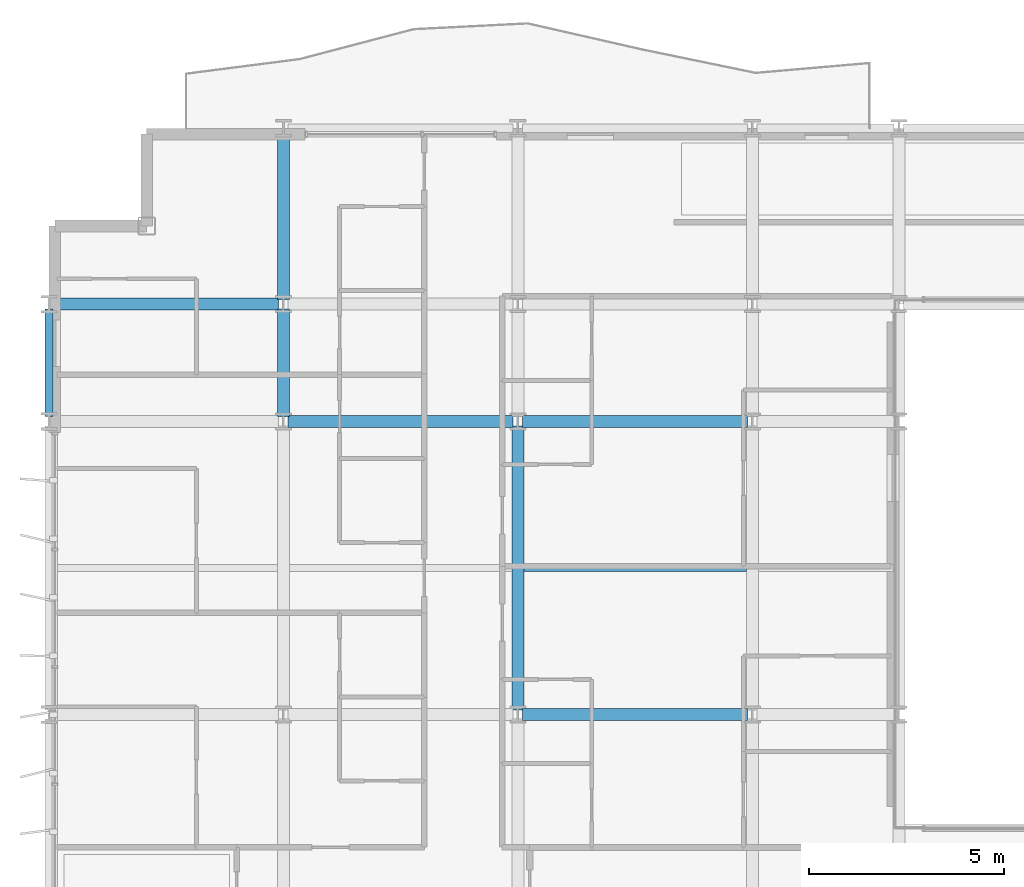
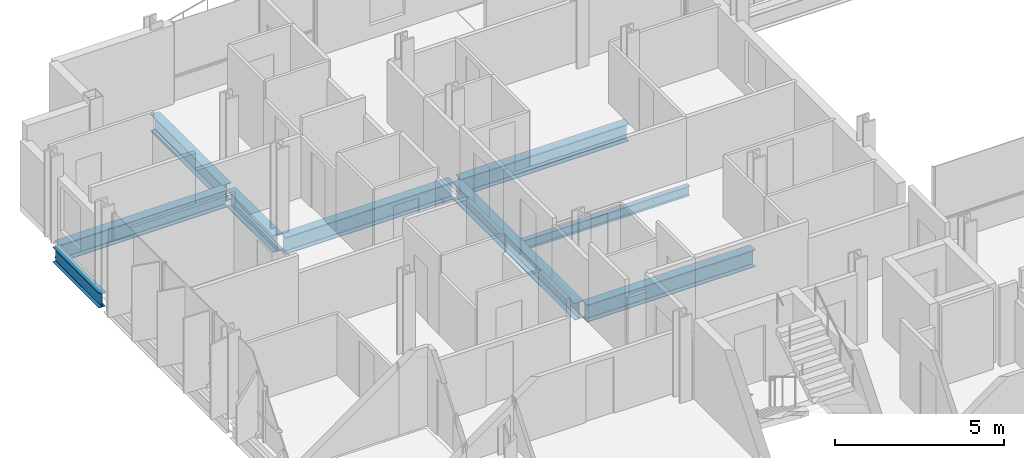
# One storey, part 6 of 39: 9 beams.
"""IFC4 building model written with IfcOpenShell, lengths in metres."""

from ifc_helpers import new_model, si_unit, direction, frame, origin, origin_2d, place, context, subcontext, project, spatial, i_section, extrude, material, material_profile, profile_set, type_object, element, save


model = new_model("IFC4")

# Units and contexts
model_context = context("Model", 3, precision=1e-05, world=origin(), true_north=direction((0.0, 1.0)))
body_context = subcontext(model_context, "Body", "Model", "MODEL_VIEW")
ifc_project = project(units=[si_unit("LENGTHUNIT", "METRE"), si_unit("AREAUNIT", "SQUARE_METRE"), si_unit("VOLUMEUNIT", "CUBIC_METRE"), si_unit("PLANEANGLEUNIT", "RADIAN"), si_unit("MASSUNIT", "GRAM", prefix="KILO")], contexts=[model_context])

# Site, building, storey
site_placement = place(None, origin())
site = spatial("IfcSite", under=ifc_project, at=site_placement, CompositionType="ELEMENT")
building_placement = place(site_placement, origin())
building = spatial("IfcBuilding", under=site, at=building_placement, Name="Brevholm Reach", CompositionType="ELEMENT")
storey_placement = place(building_placement, frame((0.0, 0.0, 90.0)))
storey = spatial("IfcBuildingStorey", under=building, at=storey_placement, Name="L26", CompositionType="ELEMENT", Elevation=90.0)

# Beams
ifc_material_1 = material(Name="Structural Steel S355J2", Category="steel")
ifc_material_profile_1 = material_profile(ifc_material_1, i_section(OverallWidth=0.17138671875, OverallDepth=0.35498046875, WebThickness=0.00732421875, FlangeThickness=0.011474609375, FilletRadius=0.01025390625, at=origin_2d()), Name="UKB 356x171x51")
ifc_profile_set_1 = profile_set([ifc_material_profile_1], Name="Structural Steel S355J2")
beam_type_1 = type_object("IfcBeamType", Name="BM-B356", PredefinedType="BEAM", material=ifc_profile_set_1)
beam_1_placement = place(storey_placement, frame((12.153564453125, 19.75, -0.407470703125), z_axis=(1.0, 0.0, 0.0), x_axis=(0.0, 1.0, 0.0)))
element("IfcBeam", 1, at=beam_1_placement, inside=storey, type_object=beam_type_1, Name="L26 Composite Secondary Floor Beam", PredefinedType="BEAM", context=body_context, shape_type="SweptSolid", body=[
    extrude(i_section(OverallWidth=0.17138671875, OverallDepth=0.35498046875, WebThickness=0.00732421875, FlangeThickness=0.011474609375, FilletRadius=0.01025390625, at=origin_2d()), origin(), (0.0, 0.0, 1.0), 5.69287109375),
])
ifc_material_2 = material(Name="Structural Steel S355J2", Category="steel")
ifc_material_profile_2 = material_profile(ifc_material_2, i_section(OverallWidth=0.210693359375, OverallDepth=0.53955078125, WebThickness=0.01171875, FlangeThickness=0.018798828125, FilletRadius=0.0126953125, at=origin_2d()), Name="UKB 533x210x109")
ifc_profile_set_2 = profile_set([ifc_material_profile_2], Name="Structural Steel S355J2")
beam_type_2 = type_object("IfcBeamType", Name="BM-SP539", PredefinedType="SPANDREL", material=ifc_profile_set_2)
beam_2_placement = place(storey_placement, frame((0.0, 23.6201171875, -0.499755859375), z_axis=(0.0, 1.0, 0.0), x_axis=(-1.0, 0.0, 0.0)))
element("IfcBeam", 2, at=beam_2_placement, inside=storey, type_object=beam_type_2, Name="L26 SP-01B Framing Beam", PredefinedType="SPANDREL", context=body_context, shape_type="SweptSolid", body=[
    extrude(i_section(OverallWidth=0.210693359375, OverallDepth=0.53955078125, WebThickness=0.01171875, FlangeThickness=0.018798828125, FilletRadius=0.0126953125, at=origin_2d()), origin(), (0.0, 0.0, 1.0), 2.759765625),
])
ifc_material_3 = material(Name="Structural Steel S355J2", Category="steel")
ifc_material_profile_3 = material_profile(ifc_material_3, i_section(OverallWidth=0.30712890625, OverallDepth=0.6201171875, WebThickness=0.01416015625, FlangeThickness=0.023681640625, FilletRadius=0.0166015625, at=origin_2d()), Name="UKB 610x305x179")
ifc_profile_set_3 = profile_set([ifc_material_profile_3], Name="Structural Steel S355J2")
beam_type_3 = type_object("IfcBeamType", Name="BM-UKB610H", PredefinedType="USERDEFINED", material=ifc_profile_set_3)
for number, where, z_axis, x_axis, name in (
    (3, (12.1201171875, 16.0, -0.5400390625), (1.0, 0.0, 0.0), (0.0, 1.0, 0.0), "L26 G-06 Framing Beam"),
    (4, (6.1201171875, 23.5, -0.5400390625), (1.0, 0.0, 0.0), (0.0, 1.0, 0.0), "L26 G-06 Framing Beam"),
    (5, (12.1201171875, 23.5, -0.5400390625), (1.0, 0.0, 0.0), (0.0, 1.0, 0.0), "L26 G-06 Framing Beam"),
    (6, (0.1201171875, 26.5, -0.5400390625), (1.0, 0.0, 0.0), (0.0, 1.0, 0.0), "L26 G-06 Framing Beam"),
):
    element("IfcBeam", number, at=place(storey_placement, frame(where, z_axis=z_axis, x_axis=x_axis)), inside=storey, type_object=beam_type_3, Name=name, ObjectType="GIRDER", PredefinedType="USERDEFINED", context=body_context, shape_type="SweptSolid", body=[
        extrude(i_section(OverallWidth=0.30712890625, OverallDepth=0.6201171875, WebThickness=0.01416015625, FlangeThickness=0.023681640625, FilletRadius=0.0166015625, at=origin_2d()), origin(), (0.0, 0.0, 1.0), 5.759765625),
    ])
beam_3_placement = place(storey_placement, frame((6.0, 23.6201171875, -0.5400390625), z_axis=(0.0, 1.0, 0.0), x_axis=(-1.0, 0.0, 0.0)))
element("IfcBeam", 7, at=beam_3_placement, inside=storey, type_object=beam_type_3, Name="L26 G-06 Framing Beam", ObjectType="GIRDER", PredefinedType="USERDEFINED", context=body_context, shape_type="SweptSolid", body=[
    extrude(i_section(OverallWidth=0.30712890625, OverallDepth=0.6201171875, WebThickness=0.01416015625, FlangeThickness=0.023681640625, FilletRadius=0.0166015625, at=origin_2d()), origin(), (0.0, 0.0, 1.0), 2.759765625),
])
beam_4_placement = place(storey_placement, frame((6.0, 26.6201171875, -0.5400390625), z_axis=(0.0, 1.0, 0.0), x_axis=(-1.0, 0.0, 0.0)))
element("IfcBeam", 8, at=beam_4_placement, inside=storey, type_object=beam_type_3, Name="L26 G-06 Framing Beam", ObjectType="GIRDER", PredefinedType="USERDEFINED", context=body_context, shape_type="SweptSolid", body=[
    extrude(i_section(OverallWidth=0.30712890625, OverallDepth=0.6201171875, WebThickness=0.01416015625, FlangeThickness=0.023681640625, FilletRadius=0.0166015625, at=origin_2d()), origin(), (0.0, 0.0, 1.0), 4.259765625),
])
beam_5_placement = place(storey_placement, frame((12.0, 16.1201171875, -0.5400390625), z_axis=(0.0, 1.0, 0.0), x_axis=(-1.0, 0.0, 0.0)))
element("IfcBeam", 9, at=beam_5_placement, inside=storey, type_object=beam_type_3, Name="L26 G-06 Framing Beam", ObjectType="GIRDER", PredefinedType="USERDEFINED", context=body_context, shape_type="SweptSolid", body=[
    extrude(i_section(OverallWidth=0.30712890625, OverallDepth=0.6201171875, WebThickness=0.01416015625, FlangeThickness=0.023681640625, FilletRadius=0.0166015625, at=origin_2d()), origin(), (0.0, 0.0, 1.0), 7.259765625),
])

save(model, "model.ifc")
